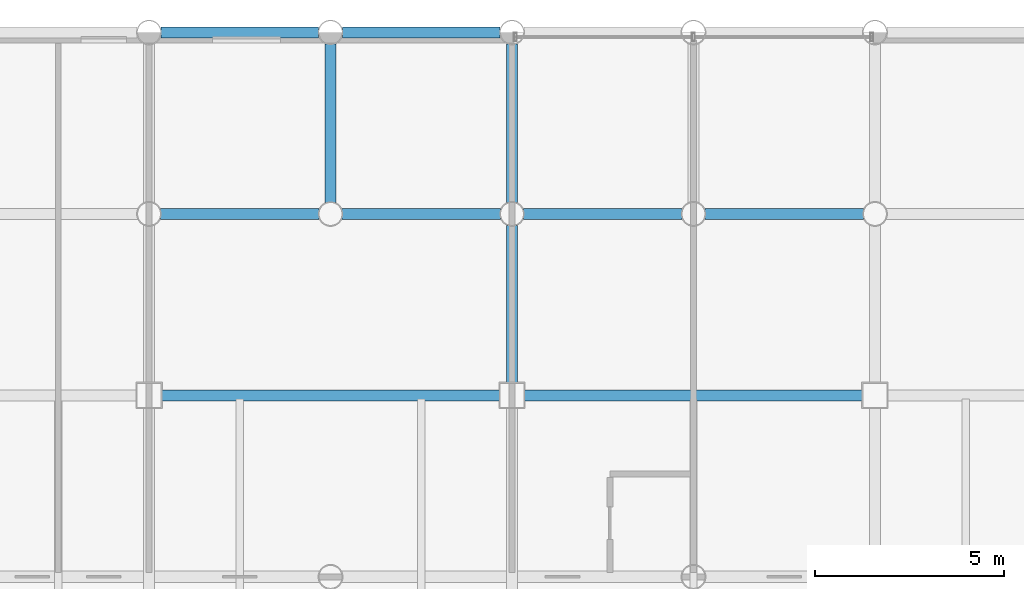
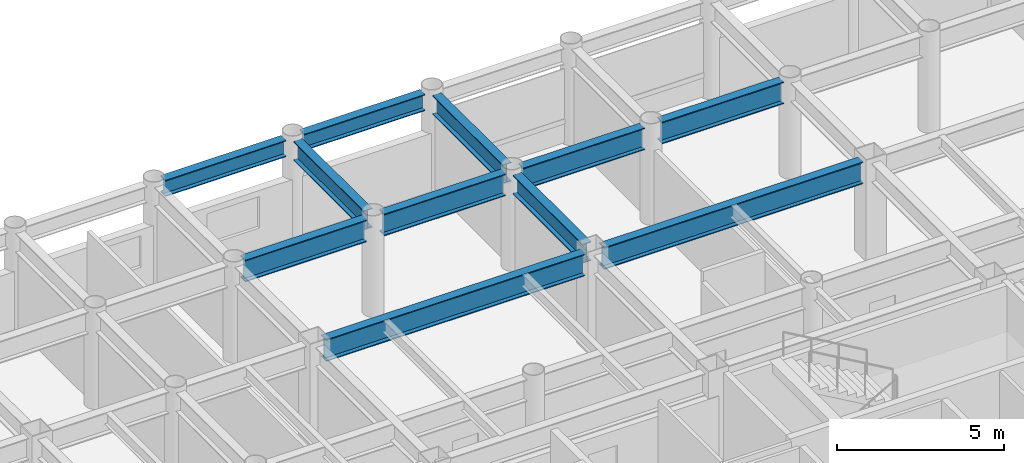
# One storey, part 11 of 20: 11 beams.
"""IFC4 building model written with IfcOpenShell, lengths in metres."""

from ifc_helpers import new_model, si_unit, direction, frame, origin, origin_2d, place, context, subcontext, project, spatial, i_section, extrude, material, material_profile, profile_set, type_object, element, save


model = new_model("IFC4")

# Units and contexts
model_context = context("Model", 3, precision=1e-05, world=origin(), true_north=direction((0.0, 1.0)))
body_context = subcontext(model_context, "Body", "Model", "MODEL_VIEW")
ifc_project = project(units=[si_unit("LENGTHUNIT", "METRE"), si_unit("AREAUNIT", "SQUARE_METRE"), si_unit("VOLUMEUNIT", "CUBIC_METRE"), si_unit("PLANEANGLEUNIT", "RADIAN"), si_unit("MASSUNIT", "GRAM", prefix="KILO")], contexts=[model_context])

# Site, building, storey
site_placement = place(None, origin())
site = spatial("IfcSite", under=ifc_project, at=site_placement, CompositionType="ELEMENT")
building_placement = place(site_placement, origin())
building = spatial("IfcBuilding", under=site, at=building_placement, Name="Kallvorn Hotel Tower", CompositionType="ELEMENT")
storey_placement = place(building_placement, frame((0.0, 0.0, 98.89990234375)))
storey = spatial("IfcBuildingStorey", under=building, at=storey_placement, Name="L23", CompositionType="ELEMENT", Elevation=98.89990234375)

# Beams
ifc_material_1 = material(Name="Structural steel S355JR", Category="steel")
ifc_material_profile_1 = material_profile(ifc_material_1, i_section(OverallWidth=0.300048828125, OverallDepth=0.60009765625, WebThickness=0.015380859375, FlangeThickness=0.030029296875, at=origin_2d()), Name="HE 600 B")
ifc_profile_set_1 = profile_set([ifc_material_profile_1], Name="Structural steel S355JR")
beam_type_1 = type_object("IfcBeamType", Name="BM_HE600B", PredefinedType="SPANDREL", material=ifc_profile_set_1)
beam_1_placement = place(storey_placement, frame((-14.080078125, 24.0, 3.22021484375), z_axis=(1.0, 0.0, 0.0), x_axis=(0.0, 1.0, 0.0)))
element("IfcBeam", 1, at=beam_1_placement, inside=storey, type_object=beam_type_1, Name="L24 Perimeter Spandrel 165", PredefinedType="SPANDREL", context=body_context, shape_type="SweptSolid", body=[
    extrude(i_section(OverallWidth=0.300048828125, OverallDepth=0.60009765625, WebThickness=0.015380859375, FlangeThickness=0.030029296875, at=origin_2d()), origin(), (0.0, 0.0, 1.0), 4.16015625),
])
beam_2_placement = place(storey_placement, frame((-9.280029296875, 24.0, 3.22021484375), z_axis=(1.0, 0.0, 0.0), x_axis=(0.0, 1.0, 0.0)))
element("IfcBeam", 2, at=beam_2_placement, inside=storey, type_object=beam_type_1, Name="L24 Perimeter Spandrel 166", PredefinedType="SPANDREL", context=body_context, shape_type="SweptSolid", body=[
    extrude(i_section(OverallWidth=0.300048828125, OverallDepth=0.60009765625, WebThickness=0.015380859375, FlangeThickness=0.030029296875, at=origin_2d()), origin(), (0.0, 0.0, 1.0), 4.159912109375),
])
ifc_material_2 = material(Name="Structural steel S355JR", Category="steel")
ifc_material_profile_2 = material_profile(ifc_material_2, i_section(OverallWidth=0.300048828125, OverallDepth=0.699951171875, WebThickness=0.01708984375, FlangeThickness=0.031982421875, at=origin_2d()), Name="HE 700 B")
ifc_profile_set_2 = profile_set([ifc_material_profile_2], Name="Structural steel S355JR")
beam_type_2 = type_object("IfcBeamType", Name="BM_HE700B", PredefinedType="BEAM", material=ifc_profile_set_2)
beam_3_placement = place(storey_placement, frame((-9.60009765625, 19.5048828125, 3.170166015625), z_axis=(0.0, 1.0, 0.0), x_axis=(-1.0, 0.0, 0.0)))
element("IfcBeam", 3, at=beam_3_placement, inside=storey, type_object=beam_type_2, Name="L24 Primary Y-Girder 104", PredefinedType="BEAM", context=body_context, shape_type="SweptSolid", body=[
    extrude(i_section(OverallWidth=0.300048828125, OverallDepth=0.699951171875, WebThickness=0.01708984375, FlangeThickness=0.031982421875, at=origin_2d()), origin(), (0.0, 0.0, 1.0), 4.190185546875),
])
beam_4_placement = place(storey_placement, frame((-4.800048828125, 14.72509765625, 3.170166015625), z_axis=(0.0, 1.0, 0.0), x_axis=(-1.0, 0.0, 0.0)))
element("IfcBeam", 4, at=beam_4_placement, inside=storey, type_object=beam_type_2, Name="L24 Primary Y-Girder 108", PredefinedType="BEAM", context=body_context, shape_type="SweptSolid", body=[
    extrude(i_section(OverallWidth=0.300048828125, OverallDepth=0.699951171875, WebThickness=0.01708984375, FlangeThickness=0.031982421875, at=origin_2d()), origin(), (0.0, 0.0, 1.0), 4.169921875),
])
beam_5_placement = place(storey_placement, frame((-4.800048828125, 19.5048828125, 3.170166015625), z_axis=(0.0, 1.0, 0.0), x_axis=(-1.0, 0.0, 0.0)))
element("IfcBeam", 5, at=beam_5_placement, inside=storey, type_object=beam_type_2, Name="L24 Primary Y-Girder 109", PredefinedType="BEAM", context=body_context, shape_type="SweptSolid", body=[
    extrude(i_section(OverallWidth=0.300048828125, OverallDepth=0.699951171875, WebThickness=0.01708984375, FlangeThickness=0.031982421875, at=origin_2d()), origin(), (0.0, 0.0, 1.0), 4.190185546875),
])
ifc_material_3 = material(Name="Structural steel S355JR", Category="steel")
ifc_material_profile_3 = material_profile(ifc_material_3, i_section(OverallWidth=0.300048828125, OverallDepth=0.800048828125, WebThickness=0.017578125, FlangeThickness=0.032958984375, at=origin_2d()), Name="HE 800 B")
ifc_profile_set_3 = profile_set([ifc_material_profile_3], Name="Structural steel S355JR")
beam_type_3 = type_object("IfcBeamType", Name="BM_HE800B", PredefinedType="BEAM", material=ifc_profile_set_3)
beam_6_placement = place(storey_placement, frame((-14.074951171875, 14.39990234375, 3.1201171875), z_axis=(1.0, 0.0, 0.0), x_axis=(0.0, 1.0, 0.0)))
element("IfcBeam", 6, at=beam_6_placement, inside=storey, type_object=beam_type_3, Name="L24 Primary X-Girder 53", PredefinedType="BEAM", context=body_context, shape_type="SweptSolid", body=[
    extrude(i_section(OverallWidth=0.300048828125, OverallDepth=0.800048828125, WebThickness=0.017578125, FlangeThickness=0.032958984375, at=origin_2d()), origin(), (0.0, 0.0, 1.0), 8.949951171875),
])
beam_7_placement = place(storey_placement, frame((-4.47509765625, 14.39990234375, 3.1201171875), z_axis=(1.0, 0.0, 0.0), x_axis=(0.0, 1.0, 0.0)))
element("IfcBeam", 7, at=beam_7_placement, inside=storey, type_object=beam_type_3, Name="L24 Primary X-Girder 54", PredefinedType="BEAM", context=body_context, shape_type="SweptSolid", body=[
    extrude(i_section(OverallWidth=0.300048828125, OverallDepth=0.800048828125, WebThickness=0.017578125, FlangeThickness=0.032958984375, at=origin_2d()), origin(), (0.0, 0.0, 1.0), 8.9501953125),
])
for number, where, z_axis, x_axis, name in (
    (8, (-14.094970703125, 19.199951171875, 3.1201171875), (1.0, 0.0, 0.0), (0.0, 1.0, 0.0), "L24 Primary X-Girder 63"),
    (9, (-9.294921875, 19.199951171875, 3.1201171875), (1.0, 0.0, 0.0), (0.0, 1.0, 0.0), "L24 Primary X-Girder 64"),
):
    element("IfcBeam", number, at=place(storey_placement, frame(where, z_axis=z_axis, x_axis=x_axis)), inside=storey, type_object=beam_type_3, Name=name, PredefinedType="BEAM", context=body_context, shape_type="SweptSolid", body=[
        extrude(i_section(OverallWidth=0.300048828125, OverallDepth=0.800048828125, WebThickness=0.017578125, FlangeThickness=0.032958984375, at=origin_2d()), origin(), (0.0, 0.0, 1.0), 4.18994140625),
    ])
for number, where, z_axis, x_axis, name in (
    (10, (-4.4951171875, 19.199951171875, 3.1201171875), (1.0, 0.0, 0.0), (0.0, 1.0, 0.0), "L24 Primary X-Girder 65"),
    (11, (0.304931640625, 19.199951171875, 3.1201171875), (1.0, 0.0, 0.0), (0.0, 1.0, 0.0), "L24 Primary X-Girder 66"),
):
    element("IfcBeam", number, at=place(storey_placement, frame(where, z_axis=z_axis, x_axis=x_axis)), inside=storey, type_object=beam_type_3, Name=name, PredefinedType="BEAM", context=body_context, shape_type="SweptSolid", body=[
        extrude(i_section(OverallWidth=0.300048828125, OverallDepth=0.800048828125, WebThickness=0.017578125, FlangeThickness=0.032958984375, at=origin_2d()), origin(), (0.0, 0.0, 1.0), 4.190185546875),
    ])

save(model, "model.ifc")
